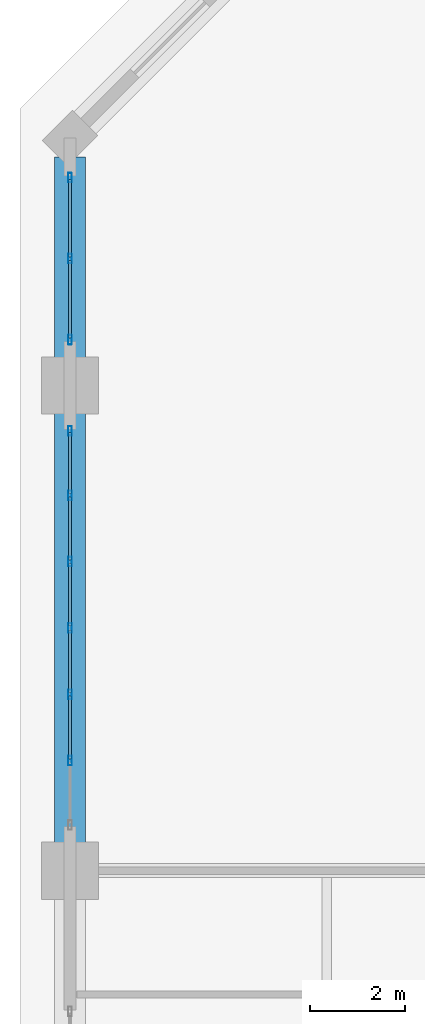
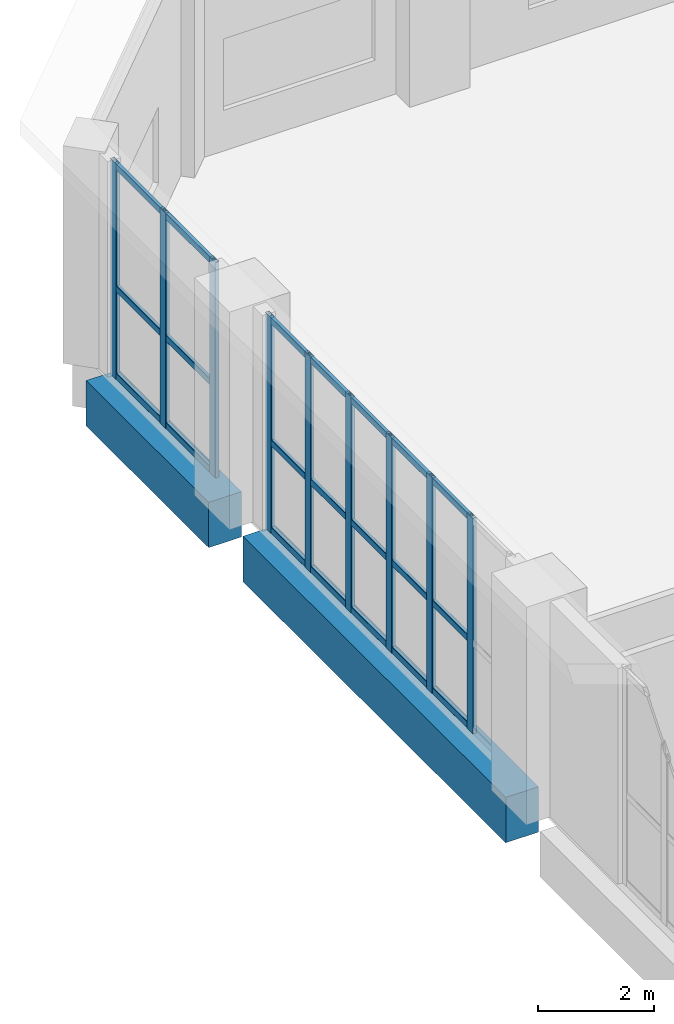
# One storey, part 16 of 37: 30 members, 2 beams, 2 elements without a shape of their own.
"""IFC4 building model written with IfcOpenShell, lengths in metres."""

from ifc_helpers import new_model, si_unit, direction, frame, origin, origin_2d, place, context, subcontext, project, spatial, rectangle, hollow_rectangle, extrude, material, layer, layer_set, material_profile, profile_set, type_object, element, aggregate, save


model = new_model("IFC4")

# Units and contexts
model_context = context("Model", 3, precision=1e-05, world=origin(), true_north=direction((0.0, 1.0)))
body_context = subcontext(model_context, "Body", "Model", "MODEL_VIEW")
ifc_project = project(units=[si_unit("LENGTHUNIT", "METRE"), si_unit("AREAUNIT", "SQUARE_METRE"), si_unit("VOLUMEUNIT", "CUBIC_METRE"), si_unit("PLANEANGLEUNIT", "RADIAN"), si_unit("MASSUNIT", "GRAM", prefix="KILO")], contexts=[model_context])

# Site, building, storey
site_placement = place(None, origin())
site = spatial("IfcSite", under=ifc_project, at=site_placement, CompositionType="ELEMENT")
building_placement = place(site_placement, origin())
building = spatial("IfcBuilding", under=site, at=building_placement, Name="Kaelvorn Grand Hotel", CompositionType="ELEMENT")
storey_placement = place(building_placement, frame((0.0, 0.0, 130.550048828125)))
storey = spatial("IfcBuildingStorey", under=building, at=storey_placement, Name="L31", CompositionType="ELEMENT", Elevation=130.550048828125)

# Beams
ifc_material_1 = material(Name="Concrete C60/75", Category="concrete")
ifc_material_profile_1 = material_profile(ifc_material_1, rectangle(XDim=0.64990234375, YDim=0.949951171875, at=origin_2d()), Name="RC SPANDREL 650x950")
ifc_profile_set_1 = profile_set([ifc_material_profile_1], Name="Concrete C60/75")
beam_type = type_object("IfcBeamType", Name="BM-SP-650x950-C60", PredefinedType="SPANDREL", material=ifc_profile_set_1)
beam_1_placement = place(storey_placement, frame((0.0, 29.985107421875, -0.715087890625), z_axis=(0.0, 1.0, 0.0), x_axis=(-1.0, 0.0, 0.0)))
element("IfcBeam", 1, at=beam_1_placement, inside=storey, type_object=beam_type, Name="L31 West Perimeter Spandrel 03", PredefinedType="SPANDREL", context=body_context, shape_type="SweptSolid", body=[
    extrude(rectangle(XDim=0.64990234375, YDim=0.949951171875, at=origin_2d()), origin(), (0.0, 0.0, 1.0), 9.02978515625),
])
beam_2_placement = place(storey_placement, frame((0.0, 40.18505859375, -0.715087890625), z_axis=(0.0, 1.0, 0.0), x_axis=(-1.0, 0.0, 0.0)))
element("IfcBeam", 2, at=beam_2_placement, inside=storey, type_object=beam_type, Name="L31 West Perimeter Spandrel 04", PredefinedType="SPANDREL", context=body_context, shape_type="SweptSolid", body=[
    extrude(rectangle(XDim=0.64990234375, YDim=0.949951171875, at=origin_2d()), origin(), (0.0, 0.0, 1.0), 4.2099609375),
])

# Curtain wall, members
ifc_material_2 = material(Name="Anodised Aluminium", Category="aluminium")
ifc_layer = layer(ifc_material_2, 0.199951171875)
ifc_layer_set = layer_set([ifc_layer], Name="Anodised Aluminium")
curtain_wall_type = type_object("IfcCurtainWallType", Name="CW-SYS3", PredefinedType="NOTDEFINED", material=ifc_layer_set)
curtain_wall_1_placement = place(storey_placement, origin())
curtain_wall_1 = element("IfcCurtainWall", 3, at=curtain_wall_1_placement, inside=storey, type_object=curtain_wall_type, Name="L31 Unitised Curtain Wall CW3 (CW-L31-W-04)", PredefinedType="NOTDEFINED")
ifc_material_profile_2 = material_profile(ifc_material_2, hollow_rectangle(XDim=0.074951171875, YDim=0.199951171875, WallThickness=0.00390625, InnerFilletRadius=0.00390625, OuterFilletRadius=0.008056640625, at=origin_2d()), Name="ALU MULL 75x200")
ifc_profile_set_2 = profile_set([ifc_material_profile_2], Name="Anodised Aluminium")
member_type_1 = type_object("IfcMemberType", Name="CW-SYS3-MULL", PredefinedType="MULLION", material=ifc_profile_set_2)
member_1_placement = place(storey_placement, frame((0.0, 43.96240234375, 0.0), z_axis=(0.0, 0.0, 1.0), x_axis=(1.0, 0.0, 0.0)))
member_1 = element("IfcMember", 4, at=member_1_placement, type_object=member_type_1, Name="CW3 mullion 1", PredefinedType="MULLION", context=body_context, shape_type="SweptSolid", body=[
    extrude(hollow_rectangle(XDim=0.074951171875, YDim=0.199951171875, WallThickness=0.00390625, InnerFilletRadius=0.00390625, OuterFilletRadius=0.008056640625, at=origin_2d()), origin(), (0.0, 0.0, 1.0), 4.52001953125),
])
member_2_placement = place(storey_placement, frame((0.0, 42.260009765625, 0.0), z_axis=(0.0, 0.0, 1.0), x_axis=(1.0, 0.0, 0.0)))
member_2 = element("IfcMember", 5, at=member_2_placement, type_object=member_type_1, Name="CW3 mullion 2", PredefinedType="MULLION", context=body_context, shape_type="SweptSolid", body=[
    extrude(hollow_rectangle(XDim=0.074951171875, YDim=0.199951171875, WallThickness=0.00390625, InnerFilletRadius=0.00390625, OuterFilletRadius=0.008056640625, at=origin_2d()), origin(), (0.0, 0.0, 1.0), 4.52001953125),
])
member_3_placement = place(storey_placement, frame((0.0, 40.5576171875, 0.0), z_axis=(0.0, 0.0, 1.0), x_axis=(1.0, 0.0, 0.0)))
member_3 = element("IfcMember", 6, at=member_3_placement, type_object=member_type_1, Name="CW3 mullion 3", PredefinedType="MULLION", context=body_context, shape_type="SweptSolid", body=[
    extrude(hollow_rectangle(XDim=0.074951171875, YDim=0.199951171875, WallThickness=0.00390625, InnerFilletRadius=0.00390625, OuterFilletRadius=0.008056640625, at=origin_2d()), origin(), (0.0, 0.0, 1.0), 4.52001953125),
])

curtain_wall_2_placement = place(storey_placement, origin())
curtain_wall_2 = element("IfcCurtainWall", 7, at=curtain_wall_2_placement, inside=storey, type_object=curtain_wall_type, Name="L31 Unitised Curtain Wall CW3 (CW-L31-W-03)", PredefinedType="NOTDEFINED")
member_4_placement = place(storey_placement, frame((0.0, 38.642578125, 0.0), z_axis=(0.0, 0.0, 1.0), x_axis=(1.0, 0.0, 0.0)))
member_4 = element("IfcMember", 8, at=member_4_placement, type_object=member_type_1, Name="CW3 mullion 1", PredefinedType="MULLION", context=body_context, shape_type="SweptSolid", body=[
    extrude(hollow_rectangle(XDim=0.074951171875, YDim=0.199951171875, WallThickness=0.00390625, InnerFilletRadius=0.00390625, OuterFilletRadius=0.008056640625, at=origin_2d()), origin(), (0.0, 0.0, 1.0), 4.52001953125),
])
member_5_placement = place(storey_placement, frame((0.0, 37.28662109375, 0.0), z_axis=(0.0, 0.0, 1.0), x_axis=(1.0, 0.0, 0.0)))
member_5 = element("IfcMember", 9, at=member_5_placement, type_object=member_type_1, Name="CW3 mullion 2", PredefinedType="MULLION", context=body_context, shape_type="SweptSolid", body=[
    extrude(hollow_rectangle(XDim=0.074951171875, YDim=0.199951171875, WallThickness=0.00390625, InnerFilletRadius=0.00390625, OuterFilletRadius=0.008056640625, at=origin_2d()), origin(), (0.0, 0.0, 1.0), 4.52001953125),
])
member_6_placement = place(storey_placement, frame((0.0, 35.893310546875, 0.0), z_axis=(0.0, 0.0, 1.0), x_axis=(1.0, 0.0, 0.0)))
member_6 = element("IfcMember", 10, at=member_6_placement, type_object=member_type_1, Name="CW3 mullion 3", PredefinedType="MULLION", context=body_context, shape_type="SweptSolid", body=[
    extrude(hollow_rectangle(XDim=0.074951171875, YDim=0.199951171875, WallThickness=0.00390625, InnerFilletRadius=0.00390625, OuterFilletRadius=0.008056640625, at=origin_2d()), origin(), (0.0, 0.0, 1.0), 4.52001953125),
])
member_7_placement = place(storey_placement, frame((0.0, 34.5, 0.0), z_axis=(0.0, 0.0, 1.0), x_axis=(1.0, 0.0, 0.0)))
member_7 = element("IfcMember", 11, at=member_7_placement, type_object=member_type_1, Name="CW3 mullion 4", PredefinedType="MULLION", context=body_context, shape_type="SweptSolid", body=[
    extrude(hollow_rectangle(XDim=0.074951171875, YDim=0.199951171875, WallThickness=0.00390625, InnerFilletRadius=0.00390625, OuterFilletRadius=0.008056640625, at=origin_2d()), origin(), (0.0, 0.0, 1.0), 4.52001953125),
])
member_8_placement = place(storey_placement, frame((0.0, 33.106689453125, 0.0), z_axis=(0.0, 0.0, 1.0), x_axis=(1.0, 0.0, 0.0)))
member_8 = element("IfcMember", 12, at=member_8_placement, type_object=member_type_1, Name="CW3 mullion 5", PredefinedType="MULLION", context=body_context, shape_type="SweptSolid", body=[
    extrude(hollow_rectangle(XDim=0.074951171875, YDim=0.199951171875, WallThickness=0.00390625, InnerFilletRadius=0.00390625, OuterFilletRadius=0.008056640625, at=origin_2d()), origin(), (0.0, 0.0, 1.0), 4.52001953125),
])
member_9_placement = place(storey_placement, frame((0.0, 31.71337890625, 0.0), z_axis=(0.0, 0.0, 1.0), x_axis=(1.0, 0.0, 0.0)))
member_9 = element("IfcMember", 13, at=member_9_placement, type_object=member_type_1, Name="CW3 mullion 6", PredefinedType="MULLION", context=body_context, shape_type="SweptSolid", body=[
    extrude(hollow_rectangle(XDim=0.074951171875, YDim=0.199951171875, WallThickness=0.00390625, InnerFilletRadius=0.00390625, OuterFilletRadius=0.008056640625, at=origin_2d()), origin(), (0.0, 0.0, 1.0), 4.52001953125),
])

# Member
ifc_material_profile_3 = material_profile(ifc_material_2, hollow_rectangle(XDim=0.070068359375, YDim=0.135009765625, WallThickness=0.00341796875, InnerFilletRadius=0.00341796875, OuterFilletRadius=0.007080078125, at=origin_2d()), Name="ALU TRAN 70x135")
ifc_profile_set_3 = profile_set([ifc_material_profile_3], Name="Anodised Aluminium")
member_type_2 = type_object("IfcMemberType", Name="CW-SYS3-TRAN", PredefinedType="NOTDEFINED", material=ifc_profile_set_3)
member_10_placement = place(storey_placement, frame((0.0, 43.925048828125, 0.0673828125), z_axis=(0.0, -1.0, 0.0), x_axis=(1.0, 0.0, 0.0)))
member_10 = element("IfcMember", 14, at=member_10_placement, type_object=member_type_2, Name="CW3 transom 1.1", ObjectType="TRANSOM", PredefinedType="USERDEFINED", context=body_context, shape_type="SweptSolid", body=[
    extrude(hollow_rectangle(XDim=0.070068359375, YDim=0.135009765625, WallThickness=0.00341796875, InnerFilletRadius=0.00341796875, OuterFilletRadius=0.007080078125, at=origin_2d()), origin(), (0.0, 0.0, 1.0), 1.62744140625),
])

member_11_placement = place(storey_placement, frame((0.0, 43.925048828125, 1.8984375), z_axis=(0.0, -1.0, 0.0), x_axis=(1.0, 0.0, 0.0)))
member_11 = element("IfcMember", 15, at=member_11_placement, type_object=member_type_2, Name="CW3 transom 1.2", ObjectType="TRANSOM", PredefinedType="USERDEFINED", context=body_context, shape_type="SweptSolid", body=[
    extrude(hollow_rectangle(XDim=0.070068359375, YDim=0.135009765625, WallThickness=0.00341796875, InnerFilletRadius=0.00341796875, OuterFilletRadius=0.007080078125, at=origin_2d()), origin(), (0.0, 0.0, 1.0), 1.62744140625),
])

member_12_placement = place(storey_placement, frame((0.0, 43.925048828125, 4.452392578125), z_axis=(0.0, -1.0, 0.0), x_axis=(1.0, 0.0, 0.0)))
member_12 = element("IfcMember", 16, at=member_12_placement, type_object=member_type_2, Name="CW3 transom 1.3", ObjectType="TRANSOM", PredefinedType="USERDEFINED", context=body_context, shape_type="SweptSolid", body=[
    extrude(hollow_rectangle(XDim=0.070068359375, YDim=0.135009765625, WallThickness=0.00341796875, InnerFilletRadius=0.00341796875, OuterFilletRadius=0.007080078125, at=origin_2d()), origin(), (0.0, 0.0, 1.0), 1.62744140625),
])

member_13_placement = place(storey_placement, frame((0.0, 42.222412109375, 0.0673828125), z_axis=(0.0, -1.0, 0.0), x_axis=(1.0, 0.0, 0.0)))
member_13 = element("IfcMember", 17, at=member_13_placement, type_object=member_type_2, Name="CW3 transom 2.1", ObjectType="TRANSOM", PredefinedType="USERDEFINED", context=body_context, shape_type="SweptSolid", body=[
    extrude(hollow_rectangle(XDim=0.070068359375, YDim=0.135009765625, WallThickness=0.00341796875, InnerFilletRadius=0.00341796875, OuterFilletRadius=0.007080078125, at=origin_2d()), origin(), (0.0, 0.0, 1.0), 1.62744140625),
])

member_14_placement = place(storey_placement, frame((0.0, 42.222412109375, 1.8984375), z_axis=(0.0, -1.0, 0.0), x_axis=(1.0, 0.0, 0.0)))
member_14 = element("IfcMember", 18, at=member_14_placement, type_object=member_type_2, Name="CW3 transom 2.2", ObjectType="TRANSOM", PredefinedType="USERDEFINED", context=body_context, shape_type="SweptSolid", body=[
    extrude(hollow_rectangle(XDim=0.070068359375, YDim=0.135009765625, WallThickness=0.00341796875, InnerFilletRadius=0.00341796875, OuterFilletRadius=0.007080078125, at=origin_2d()), origin(), (0.0, 0.0, 1.0), 1.62744140625),
])

member_15_placement = place(storey_placement, frame((0.0, 42.222412109375, 4.452392578125), z_axis=(0.0, -1.0, 0.0), x_axis=(1.0, 0.0, 0.0)))
member_15 = element("IfcMember", 19, at=member_15_placement, type_object=member_type_2, Name="CW3 transom 2.3", ObjectType="TRANSOM", PredefinedType="USERDEFINED", context=body_context, shape_type="SweptSolid", body=[
    extrude(hollow_rectangle(XDim=0.070068359375, YDim=0.135009765625, WallThickness=0.00341796875, InnerFilletRadius=0.00341796875, OuterFilletRadius=0.007080078125, at=origin_2d()), origin(), (0.0, 0.0, 1.0), 1.62744140625),
])

aggregate(curtain_wall_1, [member_1, member_2, member_3, member_10, member_11, member_12, member_13, member_14, member_15])

member_16_placement = place(storey_placement, frame((0.0, 38.60498046875, 0.0673828125), z_axis=(0.0, -1.0, 0.0), x_axis=(1.0, 0.0, 0.0)))
member_16 = element("IfcMember", 20, at=member_16_placement, type_object=member_type_2, Name="CW3 transom 1.1", ObjectType="TRANSOM", PredefinedType="USERDEFINED", context=body_context, shape_type="SweptSolid", body=[
    extrude(hollow_rectangle(XDim=0.070068359375, YDim=0.135009765625, WallThickness=0.00341796875, InnerFilletRadius=0.00341796875, OuterFilletRadius=0.007080078125, at=origin_2d()), origin(), (0.0, 0.0, 1.0), 1.28076171875),
])

member_17_placement = place(storey_placement, frame((0.0, 38.60498046875, 1.8984375), z_axis=(0.0, -1.0, 0.0), x_axis=(1.0, 0.0, 0.0)))
member_17 = element("IfcMember", 21, at=member_17_placement, type_object=member_type_2, Name="CW3 transom 1.2", ObjectType="TRANSOM", PredefinedType="USERDEFINED", context=body_context, shape_type="SweptSolid", body=[
    extrude(hollow_rectangle(XDim=0.070068359375, YDim=0.135009765625, WallThickness=0.00341796875, InnerFilletRadius=0.00341796875, OuterFilletRadius=0.007080078125, at=origin_2d()), origin(), (0.0, 0.0, 1.0), 1.28076171875),
])

member_18_placement = place(storey_placement, frame((0.0, 38.60498046875, 4.452392578125), z_axis=(0.0, -1.0, 0.0), x_axis=(1.0, 0.0, 0.0)))
member_18 = element("IfcMember", 22, at=member_18_placement, type_object=member_type_2, Name="CW3 transom 1.3", ObjectType="TRANSOM", PredefinedType="USERDEFINED", context=body_context, shape_type="SweptSolid", body=[
    extrude(hollow_rectangle(XDim=0.070068359375, YDim=0.135009765625, WallThickness=0.00341796875, InnerFilletRadius=0.00341796875, OuterFilletRadius=0.007080078125, at=origin_2d()), origin(), (0.0, 0.0, 1.0), 1.28076171875),
])

member_19_placement = place(storey_placement, frame((0.0, 37.249267578125, 0.0673828125), z_axis=(0.0, -1.0, 0.0), x_axis=(1.0, 0.0, 0.0)))
member_19 = element("IfcMember", 23, at=member_19_placement, type_object=member_type_2, Name="CW3 transom 2.1", ObjectType="TRANSOM", PredefinedType="USERDEFINED", context=body_context, shape_type="SweptSolid", body=[
    extrude(hollow_rectangle(XDim=0.070068359375, YDim=0.135009765625, WallThickness=0.00341796875, InnerFilletRadius=0.00341796875, OuterFilletRadius=0.007080078125, at=origin_2d()), origin(), (0.0, 0.0, 1.0), 1.318359375),
])

member_20_placement = place(storey_placement, frame((0.0, 37.249267578125, 1.8984375), z_axis=(0.0, -1.0, 0.0), x_axis=(1.0, 0.0, 0.0)))
member_20 = element("IfcMember", 24, at=member_20_placement, type_object=member_type_2, Name="CW3 transom 2.2", ObjectType="TRANSOM", PredefinedType="USERDEFINED", context=body_context, shape_type="SweptSolid", body=[
    extrude(hollow_rectangle(XDim=0.070068359375, YDim=0.135009765625, WallThickness=0.00341796875, InnerFilletRadius=0.00341796875, OuterFilletRadius=0.007080078125, at=origin_2d()), origin(), (0.0, 0.0, 1.0), 1.318359375),
])

member_21_placement = place(storey_placement, frame((0.0, 37.249267578125, 4.452392578125), z_axis=(0.0, -1.0, 0.0), x_axis=(1.0, 0.0, 0.0)))
member_21 = element("IfcMember", 25, at=member_21_placement, type_object=member_type_2, Name="CW3 transom 2.3", ObjectType="TRANSOM", PredefinedType="USERDEFINED", context=body_context, shape_type="SweptSolid", body=[
    extrude(hollow_rectangle(XDim=0.070068359375, YDim=0.135009765625, WallThickness=0.00341796875, InnerFilletRadius=0.00341796875, OuterFilletRadius=0.007080078125, at=origin_2d()), origin(), (0.0, 0.0, 1.0), 1.318359375),
])

member_22_placement = place(storey_placement, frame((0.0, 35.855712890625, 0.0673828125), z_axis=(0.0, -1.0, 0.0), x_axis=(1.0, 0.0, 0.0)))
member_22 = element("IfcMember", 26, at=member_22_placement, type_object=member_type_2, Name="CW3 transom 3.1", ObjectType="TRANSOM", PredefinedType="USERDEFINED", context=body_context, shape_type="SweptSolid", body=[
    extrude(hollow_rectangle(XDim=0.070068359375, YDim=0.135009765625, WallThickness=0.00341796875, InnerFilletRadius=0.00341796875, OuterFilletRadius=0.007080078125, at=origin_2d()), origin(), (0.0, 0.0, 1.0), 1.318115234375),
])

member_23_placement = place(storey_placement, frame((0.0, 35.855712890625, 1.8984375), z_axis=(0.0, -1.0, 0.0), x_axis=(1.0, 0.0, 0.0)))
member_23 = element("IfcMember", 27, at=member_23_placement, type_object=member_type_2, Name="CW3 transom 3.2", ObjectType="TRANSOM", PredefinedType="USERDEFINED", context=body_context, shape_type="SweptSolid", body=[
    extrude(hollow_rectangle(XDim=0.070068359375, YDim=0.135009765625, WallThickness=0.00341796875, InnerFilletRadius=0.00341796875, OuterFilletRadius=0.007080078125, at=origin_2d()), origin(), (0.0, 0.0, 1.0), 1.318115234375),
])

member_24_placement = place(storey_placement, frame((0.0, 35.855712890625, 4.452392578125), z_axis=(0.0, -1.0, 0.0), x_axis=(1.0, 0.0, 0.0)))
member_24 = element("IfcMember", 28, at=member_24_placement, type_object=member_type_2, Name="CW3 transom 3.3", ObjectType="TRANSOM", PredefinedType="USERDEFINED", context=body_context, shape_type="SweptSolid", body=[
    extrude(hollow_rectangle(XDim=0.070068359375, YDim=0.135009765625, WallThickness=0.00341796875, InnerFilletRadius=0.00341796875, OuterFilletRadius=0.007080078125, at=origin_2d()), origin(), (0.0, 0.0, 1.0), 1.318115234375),
])

member_25_placement = place(storey_placement, frame((0.0, 34.46240234375, 0.0673828125), z_axis=(0.0, -1.0, 0.0), x_axis=(1.0, 0.0, 0.0)))
member_25 = element("IfcMember", 29, at=member_25_placement, type_object=member_type_2, Name="CW3 transom 4.1", ObjectType="TRANSOM", PredefinedType="USERDEFINED", context=body_context, shape_type="SweptSolid", body=[
    extrude(hollow_rectangle(XDim=0.070068359375, YDim=0.135009765625, WallThickness=0.00341796875, InnerFilletRadius=0.00341796875, OuterFilletRadius=0.007080078125, at=origin_2d()), origin(), (0.0, 0.0, 1.0), 1.318115234375),
])

member_26_placement = place(storey_placement, frame((0.0, 34.46240234375, 1.8984375), z_axis=(0.0, -1.0, 0.0), x_axis=(1.0, 0.0, 0.0)))
member_26 = element("IfcMember", 30, at=member_26_placement, type_object=member_type_2, Name="CW3 transom 4.2", ObjectType="TRANSOM", PredefinedType="USERDEFINED", context=body_context, shape_type="SweptSolid", body=[
    extrude(hollow_rectangle(XDim=0.070068359375, YDim=0.135009765625, WallThickness=0.00341796875, InnerFilletRadius=0.00341796875, OuterFilletRadius=0.007080078125, at=origin_2d()), origin(), (0.0, 0.0, 1.0), 1.318115234375),
])

member_27_placement = place(storey_placement, frame((0.0, 34.46240234375, 4.452392578125), z_axis=(0.0, -1.0, 0.0), x_axis=(1.0, 0.0, 0.0)))
member_27 = element("IfcMember", 31, at=member_27_placement, type_object=member_type_2, Name="CW3 transom 4.3", ObjectType="TRANSOM", PredefinedType="USERDEFINED", context=body_context, shape_type="SweptSolid", body=[
    extrude(hollow_rectangle(XDim=0.070068359375, YDim=0.135009765625, WallThickness=0.00341796875, InnerFilletRadius=0.00341796875, OuterFilletRadius=0.007080078125, at=origin_2d()), origin(), (0.0, 0.0, 1.0), 1.318115234375),
])

member_28_placement = place(storey_placement, frame((0.0, 33.069091796875, 0.0673828125), z_axis=(0.0, -1.0, 0.0), x_axis=(1.0, 0.0, 0.0)))
member_28 = element("IfcMember", 32, at=member_28_placement, type_object=member_type_2, Name="CW3 transom 5.1", ObjectType="TRANSOM", PredefinedType="USERDEFINED", context=body_context, shape_type="SweptSolid", body=[
    extrude(hollow_rectangle(XDim=0.070068359375, YDim=0.135009765625, WallThickness=0.00341796875, InnerFilletRadius=0.00341796875, OuterFilletRadius=0.007080078125, at=origin_2d()), origin(), (0.0, 0.0, 1.0), 1.318359375),
])

member_29_placement = place(storey_placement, frame((0.0, 33.069091796875, 1.8984375), z_axis=(0.0, -1.0, 0.0), x_axis=(1.0, 0.0, 0.0)))
member_29 = element("IfcMember", 33, at=member_29_placement, type_object=member_type_2, Name="CW3 transom 5.2", ObjectType="TRANSOM", PredefinedType="USERDEFINED", context=body_context, shape_type="SweptSolid", body=[
    extrude(hollow_rectangle(XDim=0.070068359375, YDim=0.135009765625, WallThickness=0.00341796875, InnerFilletRadius=0.00341796875, OuterFilletRadius=0.007080078125, at=origin_2d()), origin(), (0.0, 0.0, 1.0), 1.318359375),
])

member_30_placement = place(storey_placement, frame((0.0, 33.069091796875, 4.452392578125), z_axis=(0.0, -1.0, 0.0), x_axis=(1.0, 0.0, 0.0)))
member_30 = element("IfcMember", 34, at=member_30_placement, type_object=member_type_2, Name="CW3 transom 5.3", ObjectType="TRANSOM", PredefinedType="USERDEFINED", context=body_context, shape_type="SweptSolid", body=[
    extrude(hollow_rectangle(XDim=0.070068359375, YDim=0.135009765625, WallThickness=0.00341796875, InnerFilletRadius=0.00341796875, OuterFilletRadius=0.007080078125, at=origin_2d()), origin(), (0.0, 0.0, 1.0), 1.318359375),
])

aggregate(curtain_wall_2, [member_4, member_5, member_6, member_7, member_8, member_9, member_16, member_17, member_18, member_19, member_20, member_21, member_22, member_23, member_24, member_25, member_26, member_27, member_28, member_29, member_30])

save(model, "model.ifc")
